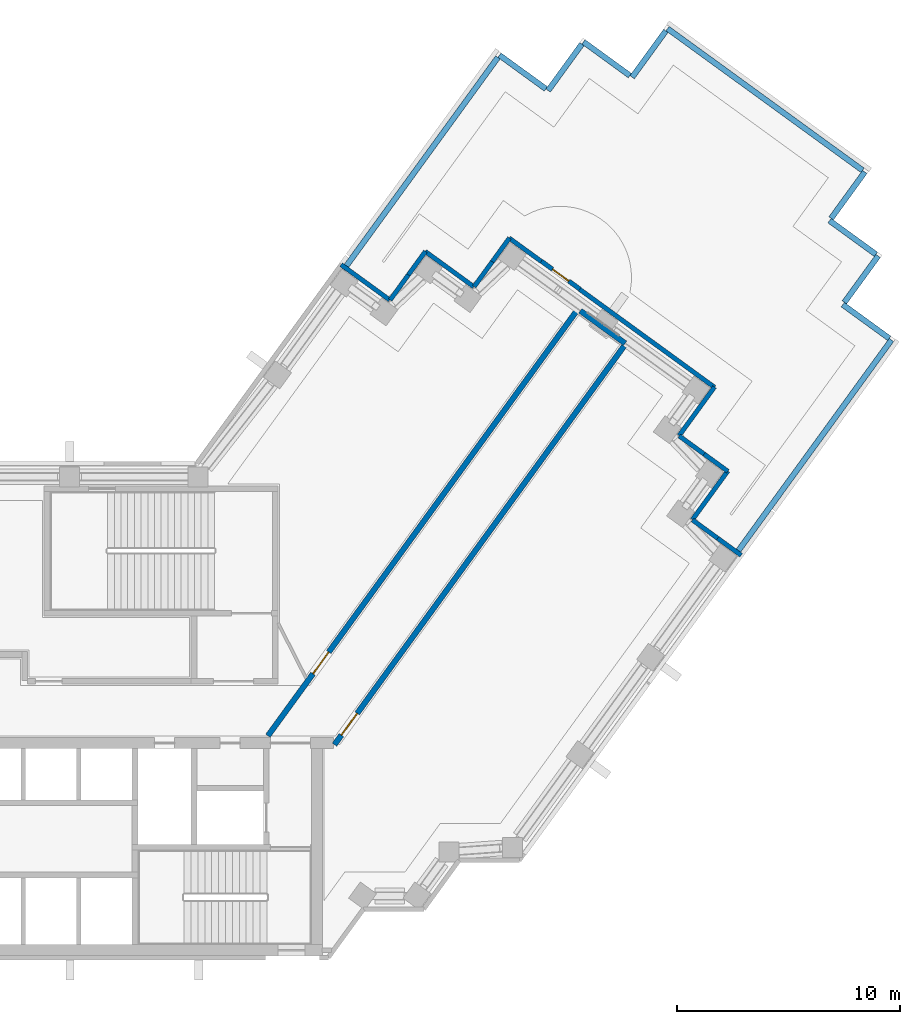
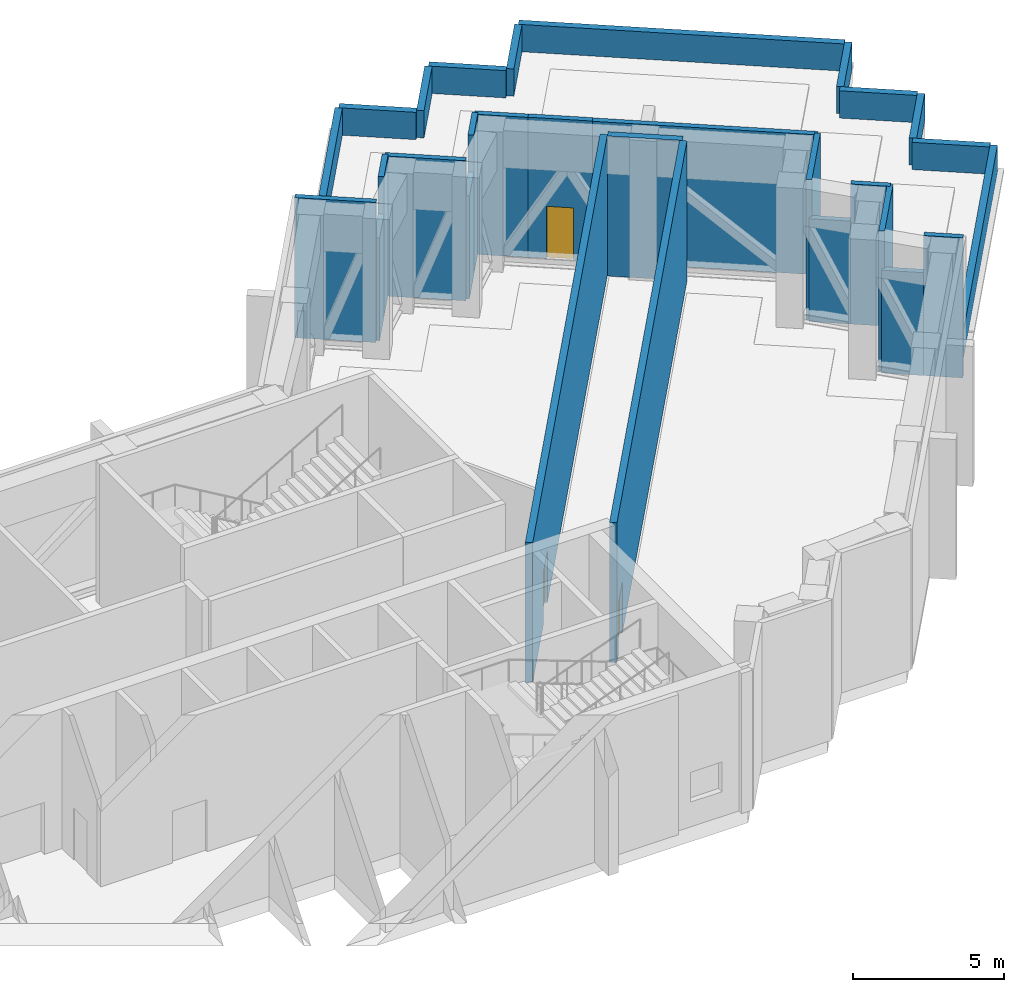
# One storey, part 12 of 16: 29 walls, 3 doors, 3 openings.
"""IFC4 building model written with IfcOpenShell, lengths in metres."""

from ifc_helpers import new_model, si_unit, direction, frame, frame_2d, origin, place, context, subcontext, project, spatial, rectangle, extrude, material, layer, layer_set, type_object, element, fill, save


model = new_model("IFC4")

# Units and contexts
model_context = context("Model", 3, precision=1e-05, world=origin(), true_north=direction((0.0, 1.0)))
body_context = subcontext(model_context, "Body", "Model", "MODEL_VIEW")
ifc_project = project(units=[si_unit("LENGTHUNIT", "METRE"), si_unit("AREAUNIT", "SQUARE_METRE"), si_unit("VOLUMEUNIT", "CUBIC_METRE"), si_unit("PLANEANGLEUNIT", "RADIAN"), si_unit("MASSUNIT", "GRAM", prefix="KILO")], contexts=[model_context])

# Site, building, storey
site_placement = place(None, origin())
site = spatial("IfcSite", under=ifc_project, at=site_placement, CompositionType="ELEMENT")
building_placement = place(site_placement, origin())
building = spatial("IfcBuilding", under=site, at=building_placement, Name="Quipu Civic Tower", CompositionType="ELEMENT")
storey_placement = place(building_placement, frame((0.0, 0.0, 188.0)))
storey = spatial("IfcBuildingStorey", under=building, at=storey_placement, Name="L44", CompositionType="ELEMENT", Elevation=188.0)

# Walls
ifc_material_1 = material(Name="Precast concrete C40/50", Category="concrete")
wall_type_1 = type_object("IfcWallType", Name="Concrete parapet", PredefinedType="PARAPET", material=ifc_material_1)
wall_1_placement = place(storey_placement, frame((20.947509765625, 19.8056640625, 0.0), z_axis=(0.0, 0.0, 1.0), x_axis=(0.587780660559, 0.809020330444, 0.0)))
element("IfcWall", 1, at=wall_1_placement, inside=storey, type_object=wall_type_1, Name="Parapet L44.1", PredefinedType="PARAPET", context=body_context, shape_type="SweptSolid", body=[
    extrude(rectangle(XDim=11.77001953125, YDim=0.25, at=frame_2d((5.885009765625, 0.0))), origin(), (0.0, 0.0, 1.0), 1.10009765625),
])
for number, where, z_axis, x_axis, name in (
    (2, (27.939208984375, 29.428955078125, 0.0), (0.0, 0.0, 1.0), (0.808965629884, -0.587855942954, 0.0), "Parapet L44.2"),
    (3, (30.12353515625, 27.841796875, 0.0), (0.0, 0.0, 1.0), (0.587748800394, 0.809043476975, 0.0), "Parapet L44.3"),
    (4, (31.71044921875, 30.026123046875, 0.0), (0.0, 0.0, 1.0), (0.809043476975, -0.587748800394, 0.0), "Parapet L44.4"),
):
    element("IfcWall", number, at=place(storey_placement, frame(where, z_axis=z_axis, x_axis=x_axis)), inside=storey, type_object=wall_type_1, Name=name, PredefinedType="PARAPET", context=body_context, shape_type="SweptSolid", body=[
        extrude(rectangle(XDim=2.574951171875, YDim=0.25, at=frame_2d((1.28759765625, 0.0))), origin(), (0.0, 0.0, 1.0), 1.10009765625),
    ])
wall_2_placement = place(storey_placement, frame((33.894775390625, 28.439208984375, 0.0), z_axis=(0.0, 0.0, 1.0), x_axis=(0.587810855502, 0.808998391935, 0.0)))
element("IfcWall", 5, at=wall_2_placement, inside=storey, type_object=wall_type_1, Name="Parapet L44.5", PredefinedType="PARAPET", context=body_context, shape_type="SweptSolid", body=[
    extrude(rectangle(XDim=2.5751953125, YDim=0.25, at=frame_2d((1.28759765625, 0.0))), origin(), (0.0, 0.0, 1.0), 1.10009765625),
])
wall_3_placement = place(storey_placement, frame((35.48193359375, 30.62353515625, 0.0), z_axis=(0.0, 0.0, 1.0), x_axis=(0.809014924719, -0.587788100918, 0.0)))
element("IfcWall", 6, at=wall_3_placement, inside=storey, type_object=wall_type_1, Name="Parapet L44.6", PredefinedType="PARAPET", context=body_context, shape_type="SweptSolid", body=[
    extrude(rectangle(XDim=10.824951171875, YDim=0.25, at=frame_2d((5.41259765625, 0.0))), origin(), (0.0, 0.0, 1.0), 1.10009765625),
])
wall_4_placement = place(storey_placement, frame((44.340576171875, 24.187255859375, 0.0), z_axis=(0.0, 0.0, 1.0), x_axis=(-0.587810855502, -0.808998391935, 0.0)))
element("IfcWall", 7, at=wall_4_placement, inside=storey, type_object=wall_type_1, Name="Parapet L44.7", PredefinedType="PARAPET", context=body_context, shape_type="SweptSolid", body=[
    extrude(rectangle(XDim=2.5751953125, YDim=0.25, at=frame_2d((1.28759765625, 0.0))), origin(), (0.0, 0.0, 1.0), 1.10009765625),
])
wall_5_placement = place(storey_placement, frame((42.753662109375, 22.0029296875, 0.0), z_axis=(0.0, 0.0, 1.0), x_axis=(0.809043476975, -0.587748800394, 0.0)))
element("IfcWall", 8, at=wall_5_placement, inside=storey, type_object=wall_type_1, Name="Parapet L44.8", PredefinedType="PARAPET", context=body_context, shape_type="SweptSolid", body=[
    extrude(rectangle(XDim=2.574951171875, YDim=0.25, at=frame_2d((1.28759765625, 0.0))), origin(), (0.0, 0.0, 1.0), 1.10009765625),
])
for number, where, z_axis, x_axis, name in (
    (9, (44.93798828125, 20.416015625, 0.0), (0.0, 0.0, 1.0), (-0.587810855502, -0.808998391935, 0.0), "Parapet L44.9"),
    (10, (43.350830078125, 18.231689453125, 0.0), (0.0, 0.0, 1.0), (0.808998391935, -0.587810855502, 0.0), "Parapet L44.10"),
):
    element("IfcWall", number, at=place(storey_placement, frame(where, z_axis=z_axis, x_axis=x_axis)), inside=storey, type_object=wall_type_1, Name=name, PredefinedType="PARAPET", context=body_context, shape_type="SweptSolid", body=[
        extrude(rectangle(XDim=2.5751953125, YDim=0.25, at=frame_2d((1.28759765625, 0.0))), origin(), (0.0, 0.0, 1.0), 1.10009765625),
    ])
wall_6_placement = place(storey_placement, frame((45.53515625, 16.64453125, 0.0), z_axis=(0.0, 0.0, 1.0), x_axis=(-0.587790524297, -0.809013164013, 0.0)))
element("IfcWall", 11, at=wall_6_placement, inside=storey, type_object=wall_type_1, Name="Parapet L44.11", PredefinedType="PARAPET", context=body_context, shape_type="SweptSolid", body=[
    extrude(rectangle(XDim=11.769775390625, YDim=0.25, at=frame_2d((5.884765625, 0.0))), origin(), (0.0, 0.0, 1.0), 1.10009765625),
])

# Wall, opening, door
ifc_material_2 = material(Name="Concrete C50/60", Category="concrete")
ifc_layer = layer(ifc_material_2, 0.25)
ifc_layer_set = layer_set([ifc_layer], Name="Concrete C50/60")
wall_type_2 = type_object("IfcWallType", Name="Corridor wall 250 concrete", PredefinedType="SOLIDWALL", material=ifc_layer_set)
wall_7_placement = place(storey_placement, frame((17.544921875, -1.124755859375, 0.0), z_axis=(0.0, 0.0, 1.0), x_axis=(0.587789755823, 0.80901372235, 0.0)))
wall_7 = element("IfcWall", 12, at=wall_7_placement, inside=storey, type_object=wall_type_2, Name="Corridor wall C03", PredefinedType="SOLIDWALL", context=body_context, shape_type="SweptSolid", body=[
    extrude(rectangle(XDim=23.64453125, YDim=0.25, at=frame_2d((11.822265625, 0.0))), origin(), (0.0, 0.0, 1.0), 5.64990234375),
])
opening_1_placement = place(wall_7_placement, frame((3.4423828125, 0.0, 0.0)))
opening_1 = element("IfcOpeningElement", 13, at=opening_1_placement, cuts=wall_7, Name="Opening D001", PredefinedType="OPENING", context=body_context, shape_type="SweptSolid", body=[
    extrude(rectangle(XDim=1.199951171875, YDim=2.10009765625, at=frame_2d((0.60009765625, 1.050048828125))), frame((0.0, 0.135009765625, 0.0), z_axis=(0.0, -1.0, 0.0), x_axis=(1.0, 0.0, 0.0)), (0.0, 0.0, 1.0), 0.27001953125),
])
ifc_material_3 = material(Name="Fire rated timber door set with metal frame", Category="wood")
door_type_1 = type_object("IfcDoorType", Name="Single door 1200 x 2100 FD60", OperationType="NOTDEFINED", PredefinedType="DOOR", material=ifc_material_3)
door_1_placement = place(opening_1_placement, origin())
door_1 = element("IfcDoor", 14, at=door_1_placement, inside=storey, type_object=door_type_1, Name="Door D001", OperationType="SINGLE_SWING_LEFT", OverallHeight=2.10009765625, OverallWidth=1.199951171875, PredefinedType="DOOR", context=body_context, shape_type="SweptSolid", body=[
    extrude(rectangle(XDim=1.199951171875, YDim=2.10009765625, at=frame_2d((0.60009765625, 1.050048828125))), frame((0.0, 0.02490234375, 0.0), z_axis=(0.0, -1.0, 0.0), x_axis=(1.0, 0.0, 0.0)), (0.0, 0.0, 1.0), 0.050048828125),
])
fill(opening_1, door_1)

# Wall
wall_8_placement = place(storey_placement, frame((31.566650390625, 17.95556640625, 0.0), z_axis=(0.0, 0.0, 1.0), x_axis=(0.809011863271, -0.587792314586, 0.0)))
element("IfcWall", 15, at=wall_8_placement, inside=storey, type_object=wall_type_2, Name="Corridor wall C04", PredefinedType="SOLIDWALL", context=body_context, shape_type="SweptSolid", body=[
    extrude(rectangle(XDim=2.487548828125, YDim=0.25, at=frame_2d((1.24365234375, 0.0))), origin(), (0.0, 0.0, 1.0), 5.64990234375),
])

# Wall, opening, door
wall_9_placement = place(storey_placement, frame((33.53076171875, 16.369384765625, 0.0), z_axis=(0.0, 0.0, 1.0), x_axis=(-0.587781095509, -0.809020014438, 0.0)))
wall_9 = element("IfcWall", 16, at=wall_9_placement, inside=storey, type_object=wall_type_2, Name="Corridor wall C05", PredefinedType="SOLIDWALL", context=body_context, shape_type="SweptSolid", body=[
    extrude(rectangle(XDim=22.11669921875, YDim=0.25, at=frame_2d((11.058349609375, 0.0))), origin(), (0.0, 0.0, 1.0), 5.64990234375),
])
opening_2_placement = place(wall_9_placement, frame((20.383544921875, 0.0, 0.0)))
opening_2 = element("IfcOpeningElement", 17, at=opening_2_placement, cuts=wall_9, Name="Opening D002", PredefinedType="OPENING", context=body_context, shape_type="SweptSolid", body=[
    extrude(rectangle(XDim=1.199951171875, YDim=2.10009765625, at=frame_2d((0.60009765625, 1.050048828125))), frame((0.0, 0.135009765625, 0.0), z_axis=(0.0, -1.0, 0.0), x_axis=(1.0, 0.0, 0.0)), (0.0, 0.0, 1.0), 0.27001953125),
])
door_2_placement = place(opening_2_placement, origin())
door_2 = element("IfcDoor", 18, at=door_2_placement, inside=storey, type_object=door_type_1, Name="Door D002", OperationType="SINGLE_SWING_RIGHT", OverallHeight=2.10009765625, OverallWidth=1.199951171875, PredefinedType="DOOR", context=body_context, shape_type="SweptSolid", body=[
    extrude(rectangle(XDim=1.199951171875, YDim=2.10009765625, at=frame_2d((0.60009765625, 1.050048828125))), frame((0.0, 0.02490234375, 0.0), z_axis=(0.0, -1.0, 0.0), x_axis=(1.0, 0.0, 0.0)), (0.0, 0.0, 1.0), 0.050048828125),
])
fill(opening_2, door_2)

# Walls
ifc_material_4 = material(Name="Precast concrete C40/50", Category="concrete")
wall_type_3 = type_object("IfcWallType", Name="Precast cladding wall", PredefinedType="SOLIDWALL", material=ifc_material_4)
wall_10_placement = place(storey_placement, frame((38.7890625, 6.976318359375, 0.0), z_axis=(0.0, 0.0, 1.0), x_axis=(-0.809011398613, 0.587792954121, 0.0)))
element("IfcWall", 19, at=wall_10_placement, inside=storey, type_object=wall_type_3, Name="Precast cladding wall L44 24", PredefinedType="SOLIDWALL", context=body_context, shape_type="SweptSolid", body=[
    extrude(rectangle(XDim=1.303466796875, YDim=0.199951171875, at=frame_2d((0.65185546875, 0.0))), origin(), (0.0, 0.0, 1.0), 5.64990234375),
])
wall_11_placement = place(storey_placement, frame((37.734619140625, 7.742431640625, 0.0), z_axis=(0.0, 0.0, 1.0), x_axis=(-0.808970345434, 0.587849453694, 0.0)))
element("IfcWall", 20, at=wall_11_placement, inside=storey, type_object=wall_type_3, Name="Precast cladding wall L44 24 a", PredefinedType="SOLIDWALL", context=body_context, shape_type="SweptSolid", body=[
    extrude(rectangle(XDim=1.396728515625, YDim=0.199951171875, at=frame_2d((0.6982421875, 0.0))), origin(), (0.0, 0.0, 1.0), 4.14990234375),
])
wall_12_placement = place(storey_placement, frame((36.60205078125, 8.580322265625, 0.0), z_axis=(0.0, 0.0, 1.0), x_axis=(0.587822180636, 0.808990163075, 0.0)))
element("IfcWall", 21, at=wall_12_placement, inside=storey, type_object=wall_type_3, Name="Precast cladding wall L44 25", PredefinedType="SOLIDWALL", context=body_context, shape_type="SweptSolid", body=[
    extrude(rectangle(XDim=2.699951171875, YDim=0.199951171875, at=frame_2d((1.35009765625, 0.0))), origin(), (0.0, 0.0, 1.0), 5.64990234375),
])
wall_13_placement = place(storey_placement, frame((38.191650390625, 10.747802734375, 0.0), z_axis=(0.0, 0.0, 1.0), x_axis=(-0.808985145084, 0.587829086584, 0.0)))
element("IfcWall", 22, at=wall_13_placement, inside=storey, type_object=wall_type_3, Name="Precast cladding wall L44 26", PredefinedType="SOLIDWALL", context=body_context, shape_type="SweptSolid", body=[
    extrude(rectangle(XDim=1.313720703125, YDim=0.199951171875, at=frame_2d((0.65673828125, 0.0))), origin(), (0.0, 0.0, 1.0), 5.64990234375),
])
wall_14_placement = place(storey_placement, frame((37.12890625, 11.52001953125, 0.0), z_axis=(0.0, 0.0, 1.0), x_axis=(-0.809078659976, 0.58770036751, 0.0)))
element("IfcWall", 23, at=wall_14_placement, inside=storey, type_object=wall_type_3, Name="Precast cladding wall L44 26 a", PredefinedType="SOLIDWALL", context=body_context, shape_type="SweptSolid", body=[
    extrude(rectangle(XDim=1.38623046875, YDim=0.199951171875, at=frame_2d((0.693115234375, 0.0))), origin(), (0.0, 0.0, 1.0), 4.14990234375),
])
wall_15_placement = place(storey_placement, frame((36.0048828125, 12.3515625, 0.0), z_axis=(0.0, 0.0, 1.0), x_axis=(0.587762999008, 0.809033161865, 0.0)))
element("IfcWall", 24, at=wall_15_placement, inside=storey, type_object=wall_type_3, Name="Precast cladding wall L44 27", PredefinedType="SOLIDWALL", context=body_context, shape_type="SweptSolid", body=[
    extrude(rectangle(XDim=2.699951171875, YDim=0.199951171875, at=frame_2d((1.35009765625, 0.0))), origin(), (0.0, 0.0, 1.0), 5.64990234375),
])
wall_16_placement = place(storey_placement, frame((37.594482421875, 14.519287109375, 0.0), z_axis=(0.0, 0.0, 1.0), x_axis=(-0.809028102457, 0.587769963025, 0.0)))
element("IfcWall", 25, at=wall_16_placement, inside=storey, type_object=wall_type_3, Name="Precast cladding wall L44 28", PredefinedType="SOLIDWALL", context=body_context, shape_type="SweptSolid", body=[
    extrude(rectangle(XDim=7.481201171875, YDim=0.199951171875, at=frame_2d((3.74072265625, 0.0))), origin(), (0.0, 0.0, 1.0), 5.64990234375),
])
wall_17_placement = place(storey_placement, frame((29.812744140625, 20.1728515625, 0.0), z_axis=(0.0, 0.0, 1.0), x_axis=(-0.80900269192, 0.587804937429, 0.0)))
element("IfcWall", 26, at=wall_17_placement, inside=storey, type_object=wall_type_3, Name="Precast cladding wall L44 30", PredefinedType="SOLIDWALL", context=body_context, shape_type="SweptSolid", body=[
    extrude(rectangle(XDim=1.781494140625, YDim=0.199951171875, at=frame_2d((0.890625, 0.0))), origin(), (0.0, 0.0, 1.0), 5.64990234375),
])
wall_18_placement = place(storey_placement, frame((28.388427734375, 21.22265625, 0.0), z_axis=(0.0, 0.0, 1.0), x_axis=(-0.587707438817, -0.809073523457, 0.0)))
element("IfcWall", 27, at=wall_18_placement, inside=storey, type_object=wall_type_3, Name="Precast cladding wall L44 31", PredefinedType="SOLIDWALL", context=body_context, shape_type="SweptSolid", body=[
    extrude(rectangle(XDim=1.3134765625, YDim=0.199951171875, at=frame_2d((0.65673828125, 0.0))), origin(), (0.0, 0.0, 1.0), 5.64990234375),
])
wall_19_placement = place(storey_placement, frame((27.616455078125, 20.159912109375, 0.0), z_axis=(0.0, 0.0, 1.0), x_axis=(-0.587731903943, -0.809055751533, 0.0)))
element("IfcWall", 28, at=wall_19_placement, inside=storey, type_object=wall_type_3, Name="Precast cladding wall L44 31 a", PredefinedType="SOLIDWALL", context=body_context, shape_type="SweptSolid", body=[
    extrude(rectangle(XDim=1.386474609375, YDim=0.199951171875, at=frame_2d((0.693359375, 0.0))), origin(), (0.0, 0.0, 1.0), 4.14990234375),
])
wall_20_placement = place(storey_placement, frame((26.78466796875, 19.03564453125, 0.0), z_axis=(0.0, 0.0, 1.0), x_axis=(-0.809064397168, 0.587720002413, 0.0)))
element("IfcWall", 29, at=wall_20_placement, inside=storey, type_object=wall_type_3, Name="Precast cladding wall L44 32", PredefinedType="SOLIDWALL", context=body_context, shape_type="SweptSolid", body=[
    extrude(rectangle(XDim=2.7001953125, YDim=0.199951171875, at=frame_2d((1.35009765625, 0.0))), origin(), (0.0, 0.0, 1.0), 5.64990234375),
])
wall_21_placement = place(storey_placement, frame((24.616943359375, 20.625244140625, 0.0), z_axis=(0.0, 0.0, 1.0), x_axis=(-0.587772972264, -0.809025916196, 0.0)))
element("IfcWall", 30, at=wall_21_placement, inside=storey, type_object=wall_type_3, Name="Precast cladding wall L44 33", PredefinedType="SOLIDWALL", context=body_context, shape_type="SweptSolid", body=[
    extrude(rectangle(XDim=1.310791015625, YDim=0.199951171875, at=frame_2d((0.6552734375, 0.0))), origin(), (0.0, 0.0, 1.0), 5.64990234375),
])
wall_22_placement = place(storey_placement, frame((23.846435546875, 19.564697265625, 0.0), z_axis=(0.0, 0.0, 1.0), x_axis=(-0.587753586678, -0.809039999844, 0.0)))
element("IfcWall", 31, at=wall_22_placement, inside=storey, type_object=wall_type_3, Name="Precast cladding wall L44 33 a", PredefinedType="SOLIDWALL", context=body_context, shape_type="SweptSolid", body=[
    extrude(rectangle(XDim=1.388916015625, YDim=0.199951171875, at=frame_2d((0.6943359375, 0.0))), origin(), (0.0, 0.0, 1.0), 4.14990234375),
])
wall_23_placement = place(storey_placement, frame((23.01318359375, 18.438232421875, 0.0), z_axis=(0.0, 0.0, 1.0), x_axis=(-0.808990163075, 0.587822180636, 0.0)))
element("IfcWall", 32, at=wall_23_placement, inside=storey, type_object=wall_type_3, Name="Precast cladding wall L44 34", PredefinedType="SOLIDWALL", context=body_context, shape_type="SweptSolid", body=[
    extrude(rectangle(XDim=2.699951171875, YDim=0.199951171875, at=frame_2d((1.35009765625, 0.0))), origin(), (0.0, 0.0, 1.0), 5.64990234375),
])

# Wall, opening, door
ifc_material_5 = material(Name="Precast concrete C40/50", Category="concrete")
wall_type_4 = type_object("IfcWallType", Name="Precast door surround", PredefinedType="SOLIDWALL", material=ifc_material_5)
wall_24_placement = place(storey_placement, frame((29.81982421875, 20.1826171875, 0.0), z_axis=(0.0, 0.0, 1.0), x_axis=(0.809022465264, -0.587777722186, 0.0)))
wall_24 = element("IfcWall", 33, at=wall_24_placement, inside=storey, type_object=wall_type_4, Name="Door surround RA-L44-1", PredefinedType="SOLIDWALL", context=body_context, shape_type="SweptSolid", body=[
    extrude(rectangle(XDim=2.137451171875, YDim=0.199951171875, at=frame_2d((1.06884765625, 0.0))), origin(), (0.0, 0.0, 1.0), 5.64990234375),
])
opening_3_placement = place(wall_24_placement, frame((0.61865234375, 0.0, 0.0)))
opening_3 = element("IfcOpeningElement", 34, at=opening_3_placement, cuts=wall_24, Name="Opening RA-L44-1", PredefinedType="OPENING", context=body_context, shape_type="SweptSolid", body=[
    extrude(rectangle(XDim=0.89990234375, YDim=2.10009765625, at=frame_2d((0.449951171875, 1.050048828125))), frame((0.0, 0.10986328125, 0.0), z_axis=(0.0, -1.0, 0.0), x_axis=(1.0, 0.0, 0.0)), (0.0, 0.0, 1.0), 0.219970703125),
])
ifc_material_6 = material(Name="Steel framed door", Category="steel")
door_type_2 = type_object("IfcDoorType", Name="Roof access door", OperationType="SINGLE_SWING_RIGHT", PredefinedType="DOOR", material=ifc_material_6)
door_3_placement = place(opening_3_placement, origin())
door_3 = element("IfcDoor", 35, at=door_3_placement, inside=storey, type_object=door_type_2, Name="E5 door RA-L44-1", OperationType="SINGLE_SWING_RIGHT", OverallHeight=2.10009765625, OverallWidth=0.89990234375, PredefinedType="DOOR", context=body_context, shape_type="SweptSolid", body=[
    extrude(rectangle(XDim=0.89990234375, YDim=2.10009765625, at=frame_2d((0.449951171875, 1.050048828125))), frame((0.0, 0.02490234375, 0.0), z_axis=(0.0, -1.0, 0.0), x_axis=(1.0, 0.0, 0.0)), (0.0, 0.0, 1.0), 0.050048828125),
])
fill(opening_3, door_3)

save(model, "model.ifc")
